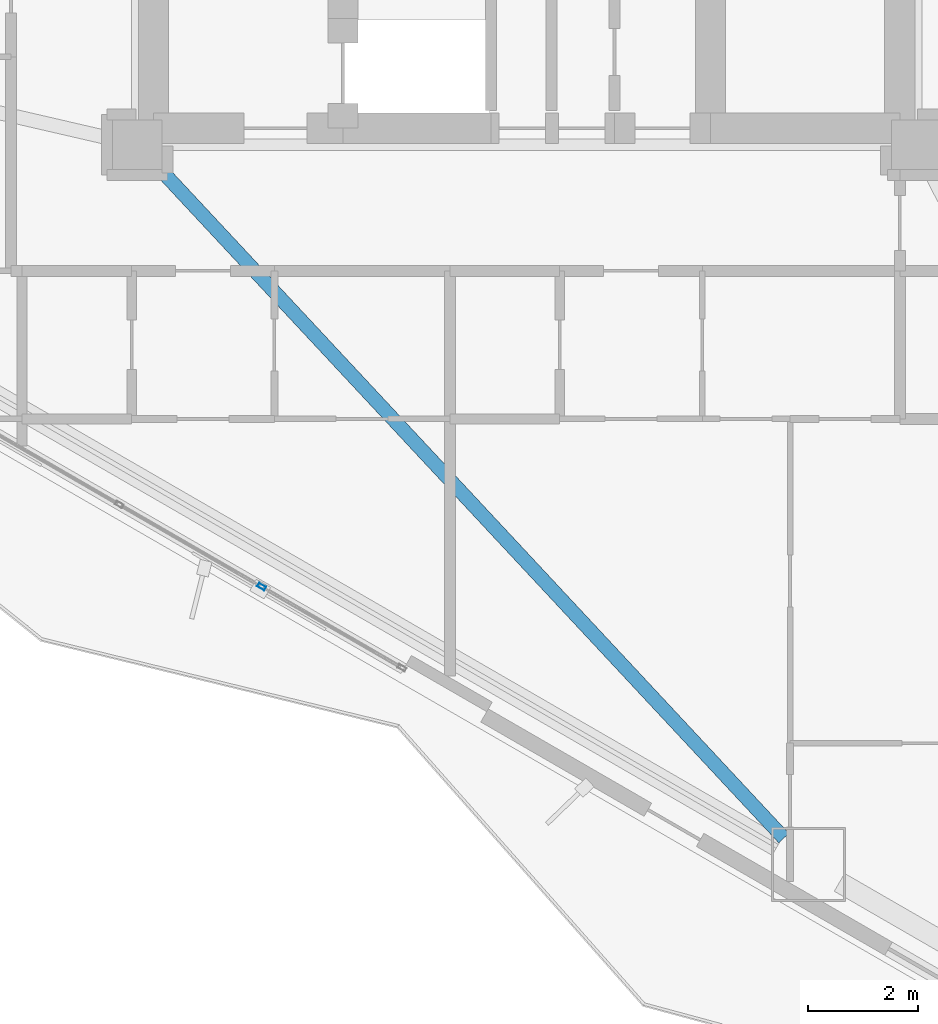
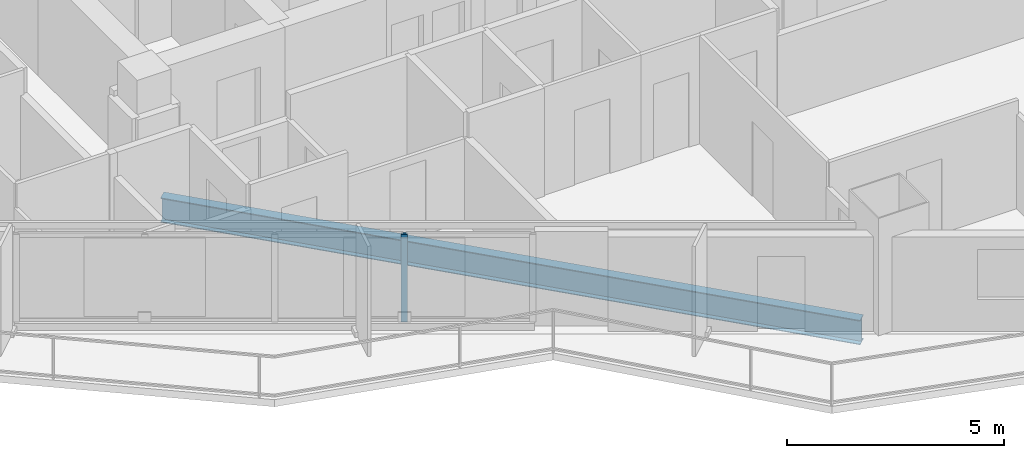
# One storey, part 4 of 18: 1 beam, 1 member, 1 element without a shape of its own.
"""IFC4 building model written with IfcOpenShell, lengths in metres."""

from ifc_helpers import new_model, si_unit, direction, frame, origin, origin_2d, place, context, subcontext, project, spatial, hollow_rectangle, i_section, extrude, material, layer, layer_set, material_profile, profile_set, type_object, element, aggregate, save


model = new_model("IFC4")

# Units and contexts
model_context = context("Model", 3, precision=1e-05, world=origin(), true_north=direction((0.0, 1.0)))
body_context = subcontext(model_context, "Body", "Model", "MODEL_VIEW")
ifc_project = project(units=[si_unit("LENGTHUNIT", "METRE"), si_unit("AREAUNIT", "SQUARE_METRE"), si_unit("VOLUMEUNIT", "CUBIC_METRE"), si_unit("PLANEANGLEUNIT", "RADIAN"), si_unit("MASSUNIT", "GRAM", prefix="KILO")], contexts=[model_context])

# Site, building, storey
site_placement = place(None, origin())
site = spatial("IfcSite", under=ifc_project, at=site_placement, CompositionType="ELEMENT")
building_placement = place(site_placement, origin())
building = spatial("IfcBuilding", under=site, at=building_placement, Name="Mersakhor Tower and Convention Hall", CompositionType="ELEMENT")
storey_placement = place(building_placement, frame((0.0, 0.0, 39.0)))
storey = spatial("IfcBuildingStorey", under=building, at=storey_placement, Name="L10", CompositionType="ELEMENT", Elevation=39.0)

# Beam
ifc_material_1 = material(Name="Steel S355", Category="steel")
ifc_material_profile_1 = material_profile(ifc_material_1, i_section(OverallWidth=0.25439453125, OverallDepth=0.6875, WebThickness=0.01318359375, FlangeThickness=0.02099609375, at=origin_2d()), Name="UB 686x254x152")
ifc_profile_set_1 = profile_set([ifc_material_profile_1], Name="Steel S355")
beam_type = type_object("IfcBeamType", Name="BM-PR-686", PredefinedType="BEAM", material=ifc_profile_set_1)
beam_placement = place(storey_placement, frame((22.193359375, 20.135498046875, -0.603759765625), z_axis=(0.68200435324, -0.731348112845, 0.0), x_axis=(0.731348112845, 0.68200435324, 0.0)))
element("IfcBeam", 1, at=beam_placement, inside=storey, type_object=beam_type, Name="L10 Primary Floor Girder FG-5", PredefinedType="BEAM", context=body_context, shape_type="SweptSolid", body=[
    extrude(i_section(OverallWidth=0.25439453125, OverallDepth=0.6875, WebThickness=0.01318359375, FlangeThickness=0.02099609375, at=origin_2d()), origin(), (0.0, 0.0, 1.0), 16.85205078125),
])

# Curtain wall, member
ifc_material_2 = material(Name="Dark solar low-E aluminium curtain wall", Category="aluminium")
ifc_layer = layer(ifc_material_2, 0.159912109375)
ifc_layer_set = layer_set([ifc_layer], Name="Dark solar low-E aluminium curtain wall")
curtain_wall_type = type_object("IfcCurtainWallType", Name="CW-SYS-01", PredefinedType="USERDEFINED", material=ifc_layer_set)
curtain_wall_placement = place(storey_placement, origin())
curtain_wall = element("IfcCurtainWall", 2, at=curtain_wall_placement, inside=storey, type_object=curtain_wall_type, Name="L10 Dark-Glass Curtain Wall F3-B2", ObjectType="CURTAIN WALL", PredefinedType="USERDEFINED")
ifc_material_3 = material(Name="Anodised aluminium EN AW-6063 T6", Category="aluminium")
ifc_material_profile_2 = material_profile(ifc_material_3, hollow_rectangle(XDim=0.074951171875, YDim=0.14990234375, WallThickness=0.00634765625, at=origin_2d()), Name="RHS 150x75x6.3")
ifc_profile_set_2 = profile_set([ifc_material_profile_2], Name="Anodised aluminium EN AW-6063 T6")
member_type = type_object("IfcMemberType", Name="CWM-150x75", PredefinedType="MULLION", material=ifc_profile_set_2)
member_placement = place(storey_placement, frame((24.167236328125, 12.392822265625, 0.199951171875), z_axis=(0.0, 0.0, 1.0), x_axis=(-0.50000344889, -0.866023412558, 0.0)))
member = element("IfcMember", 3, at=member_placement, type_object=member_type, Name="CW-01 mullion 2", PredefinedType="MULLION", context=body_context, shape_type="SweptSolid", body=[
    extrude(hollow_rectangle(XDim=0.074951171875, YDim=0.14990234375, WallThickness=0.00634765625, at=origin_2d()), origin(), (0.0, 0.0, 1.0), 2.4599609375),
])
aggregate(curtain_wall, [member])

save(model, "model.ifc")
